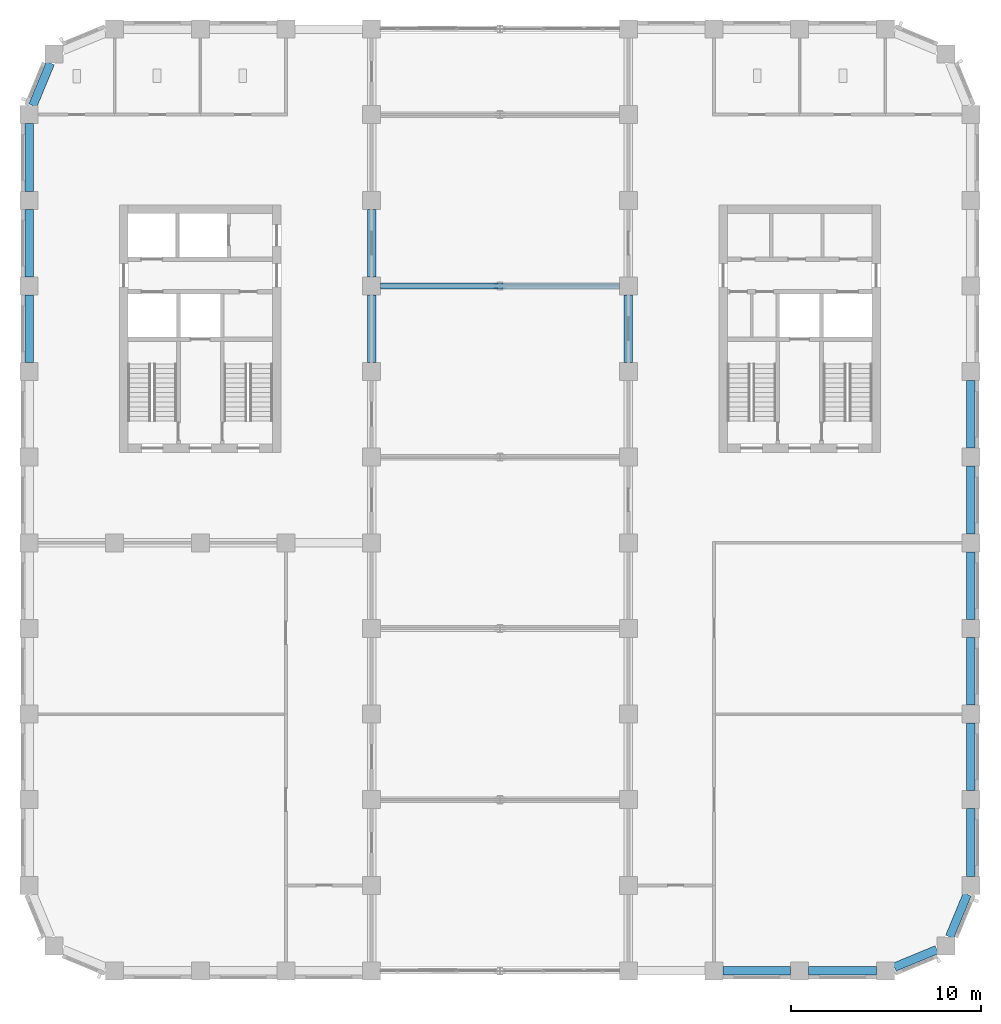
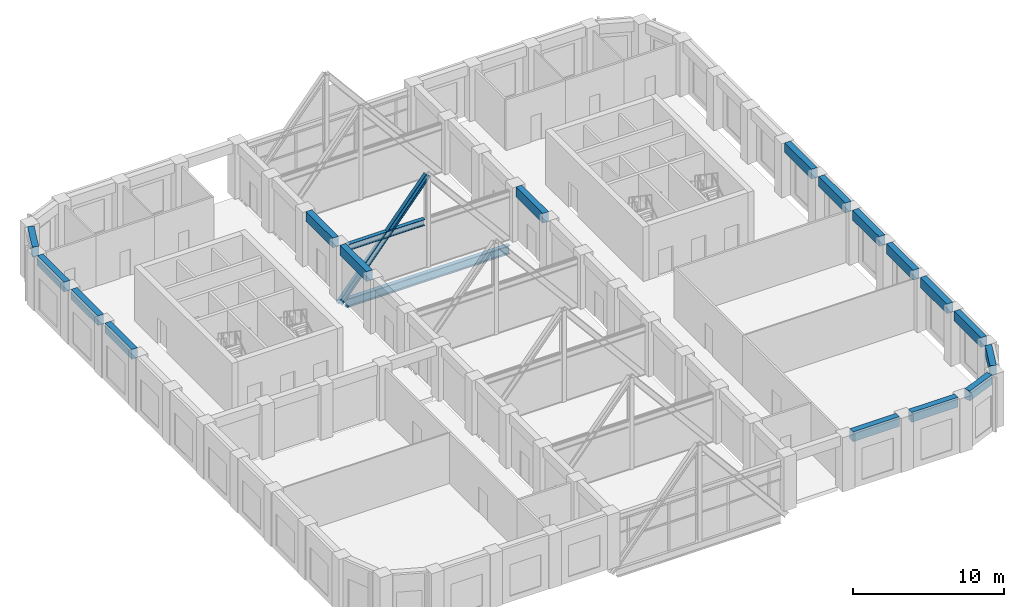
# One storey, part 4 of 15: 17 beams, 3 members.
"""IFC4 building model written with IfcOpenShell, lengths in metres."""

from ifc_helpers import new_model, si_unit, direction, frame, origin, origin_2d, place, context, subcontext, project, spatial, rectangle, i_section, extrude, material, material_profile, profile_set, type_object, element, save


model = new_model("IFC4")

# Units and contexts
model_context = context("Model", 3, precision=1e-05, world=origin(), true_north=direction((0.0, 1.0)))
body_context = subcontext(model_context, "Body", "Model", "MODEL_VIEW")
ifc_project = project(units=[si_unit("LENGTHUNIT", "METRE"), si_unit("AREAUNIT", "SQUARE_METRE"), si_unit("VOLUMEUNIT", "CUBIC_METRE"), si_unit("PLANEANGLEUNIT", "RADIAN"), si_unit("MASSUNIT", "GRAM", prefix="KILO")], contexts=[model_context])

# Site, building, storey
site_placement = place(None, origin())
site = spatial("IfcSite", under=ifc_project, at=site_placement, CompositionType="ELEMENT")
building_placement = place(site_placement, origin())
building = spatial("IfcBuilding", under=site, at=building_placement, Name="Girih Gate Residences", CompositionType="ELEMENT")
storey_placement = place(building_placement, frame((0.0, 0.0, 168.199951171875)))
storey = spatial("IfcBuildingStorey", under=building, at=storey_placement, Name="L46", CompositionType="ELEMENT", Elevation=168.199951171875)

# Members
ifc_material_1 = material(Name="Steel S460", Category="steel")
ifc_material_profile_1 = material_profile(ifc_material_1, i_section(OverallWidth=0.300048828125, OverallDepth=0.699951171875, WebThickness=0.01708984375, FlangeThickness=0.031982421875, FilletRadius=0.027099609375, at=origin_2d()))
ifc_profile_set_1 = profile_set([ifc_material_profile_1], Name="Steel S460")
member_type_1 = type_object("IfcMemberType", Name="Bridge truss bottom chord HE 700 B Steel S460", PredefinedType="CHORD", material=ifc_profile_set_1)
member_1_placement = place(storey_placement, frame((18.47509765625, 36.0, -0.800048828125), z_axis=(1.0, 0.0, 0.0), x_axis=(0.0, 1.0, 0.0)))
element("IfcMember", 1, at=member_1_placement, inside=storey, type_object=member_type_1, Name="Bridge truss chord at 36", PredefinedType="CHORD", context=body_context, shape_type="SweptSolid", body=[
    extrude(i_section(OverallWidth=0.300048828125, OverallDepth=0.699951171875, WebThickness=0.01708984375, FlangeThickness=0.031982421875, FilletRadius=0.027099609375, at=origin_2d()), origin(), (0.0, 0.0, 1.0), 12.5498046875),
])
ifc_material_profile_2 = material_profile(ifc_material_1, i_section(OverallWidth=0.300048828125, OverallDepth=0.5, WebThickness=0.014404296875, FlangeThickness=0.028076171875, FilletRadius=0.027099609375, at=origin_2d()))
ifc_profile_set_2 = profile_set([ifc_material_profile_2], Name="Steel S460")
member_type_2 = type_object("IfcMemberType", Name="Bridge truss chord HE 500 B Steel S460", PredefinedType="CHORD", material=ifc_profile_set_2)
member_2_placement = place(storey_placement, frame((18.47509765625, 36.0, 3.699951171875), z_axis=(1.0, 0.0, 0.0), x_axis=(0.0, 1.0, 0.0)))
element("IfcMember", 2, at=member_2_placement, inside=storey, type_object=member_type_2, Name="Bridge truss chord at 36", PredefinedType="CHORD", context=body_context, shape_type="SweptSolid", body=[
    extrude(i_section(OverallWidth=0.300048828125, OverallDepth=0.5, WebThickness=0.014404296875, FlangeThickness=0.028076171875, FilletRadius=0.027099609375, at=origin_2d()), origin(), (0.0, 0.0, 1.0), 6.02490234375),
])
ifc_material_profile_3 = material_profile(ifc_material_1, i_section(OverallWidth=0.300048828125, OverallDepth=0.43994140625, WebThickness=0.013916015625, FlangeThickness=0.02587890625, FilletRadius=0.027099609375, at=origin_2d()))
ifc_profile_set_3 = profile_set([ifc_material_profile_3], Name="Steel S460")
member_type_3 = type_object("IfcMemberType", Name="Bridge truss diagonal HE 450 B Steel S460", PredefinedType="BRACE", material=ifc_profile_set_3)
member_3_placement = place(storey_placement, frame((18.0, 36.0, -0.699951171875), z_axis=(0.64017984464, 0.0, 0.768225075429), x_axis=(0.0, 1.0, 0.0)))
element("IfcMember", 3, at=member_3_placement, inside=storey, type_object=member_type_3, Name="Bridge truss diagonal at 36", PredefinedType="BRACE", context=body_context, shape_type="SweptSolid", body=[
    extrude(i_section(OverallWidth=0.300048828125, OverallDepth=0.43994140625, WebThickness=0.013916015625, FlangeThickness=0.02587890625, FilletRadius=0.027099609375, at=origin_2d()), origin(), (0.0, 0.0, 1.0), 10.5439453125),
])

# Beams
ifc_material_2 = material(Name="Concrete C60/75", Category="concrete")
ifc_material_profile_4 = material_profile(ifc_material_2, rectangle(XDim=0.449951171875, YDim=0.800048828125, at=origin_2d()))
ifc_profile_set_4 = profile_set([ifc_material_profile_4], Name="Concrete C60/75")
beam_type = type_object("IfcBeamType", Name="Spandrel girder RC 450x800 Concrete C60/75", PredefinedType="BEAM", material=ifc_profile_set_4)
for number, where, z_axis, x_axis, name in (
    (4, (36.47509765625, 0.0, 4.0), (1.0, 0.0, 0.0), (0.0, 1.0, 0.0), "Spandrel girder SP-P9A-P10A L46"),
    (5, (40.97509765625, 0.0, 4.0), (1.0, 0.0, 0.0), (0.0, 1.0, 0.0), "Spandrel girder SP-P10A-P11A L46"),
):
    element("IfcBeam", number, at=place(storey_placement, frame(where, z_axis=z_axis, x_axis=x_axis)), inside=storey, type_object=beam_type, Name=name, PredefinedType="BEAM", context=body_context, shape_type="SweptSolid", body=[
        extrude(rectangle(XDim=0.449951171875, YDim=0.800048828125, at=origin_2d()), origin(), (0.0, 0.0, 1.0), 3.5498046875),
    ])
for number, where, z_axis, x_axis, name in (
    (6, (45.47509765625, 0.19677734375, 4.0), (0.923870256451, 0.382705825988, 0.0), (-0.382705825988, 0.923870256451, 0.0), "Spandrel girder SP-P11A-P12ANW L46"),
    (7, (48.378662109375, 1.79296875, 4.0), (0.382705825988, 0.923870256451, 0.0), (-0.923870256451, 0.382705825988, 0.0), "Spandrel girder SP-P12ANW-P12B L46"),
):
    element("IfcBeam", number, at=place(storey_placement, frame(where, z_axis=z_axis, x_axis=x_axis)), inside=storey, type_object=beam_type, Name=name, PredefinedType="BEAM", context=body_context, shape_type="SweptSolid", body=[
        extrude(rectangle(XDim=0.449951171875, YDim=0.800048828125, at=origin_2d()), origin(), (0.0, 0.0, 1.0), 2.415771484375),
    ])
for number, where, z_axis, x_axis, name in (
    (8, (49.5, 4.97509765625, 4.0), (0.0, 1.0, 0.0), (-1.0, 0.0, 0.0), "Spandrel girder SP-P12B-P12C L46"),
    (9, (49.5, 9.47509765625, 4.0), (0.0, 1.0, 0.0), (-1.0, 0.0, 0.0), "Spandrel girder SP-P12C-P12D L46"),
    (10, (49.5, 13.97509765625, 4.0), (0.0, 1.0, 0.0), (-1.0, 0.0, 0.0), "Spandrel girder SP-P12D-P12E L46"),
    (11, (49.5, 18.47509765625, 4.0), (0.0, 1.0, 0.0), (-1.0, 0.0, 0.0), "Spandrel girder SP-P12E-P12F L46"),
    (12, (49.5, 22.97509765625, 4.0), (0.0, 1.0, 0.0), (-1.0, 0.0, 0.0), "Spandrel girder SP-P12F-P12G L46"),
    (13, (49.5, 27.47509765625, 4.0), (0.0, 1.0, 0.0), (-1.0, 0.0, 0.0), "Spandrel girder SP-P12G-P12H L46"),
):
    element("IfcBeam", number, at=place(storey_placement, frame(where, z_axis=z_axis, x_axis=x_axis)), inside=storey, type_object=beam_type, Name=name, PredefinedType="BEAM", context=body_context, shape_type="SweptSolid", body=[
        extrude(rectangle(XDim=0.449951171875, YDim=0.800048828125, at=origin_2d()), origin(), (0.0, 0.0, 1.0), 3.5498046875),
    ])
beam_placement = place(storey_placement, frame((1.121337890625, 47.70703125, 4.0), z_axis=(-0.382705825988, -0.923870256451, 0.0), x_axis=(0.923870256451, -0.382705825988, 0.0)))
element("IfcBeam", 14, at=beam_placement, inside=storey, type_object=beam_type, Name="Spandrel girder SP-P1LSE-P1K L46", PredefinedType="BEAM", context=body_context, shape_type="SweptSolid", body=[
    extrude(rectangle(XDim=0.449951171875, YDim=0.800048828125, at=origin_2d()), origin(), (0.0, 0.0, 1.0), 2.415771484375),
])
for number, where, z_axis, x_axis, name in (
    (15, (0.0, 44.52490234375, 4.0), (0.0, -1.0, 0.0), (1.0, 0.0, 0.0), "Spandrel girder SP-P1K-P1J L46"),
    (16, (0.0, 40.02490234375, 4.0), (0.0, -1.0, 0.0), (1.0, 0.0, 0.0), "Spandrel girder SP-P1J-P1I L46"),
    (17, (0.0, 35.52490234375, 4.0), (0.0, -1.0, 0.0), (1.0, 0.0, 0.0), "Spandrel girder SP-P1I-P1H L46"),
    (18, (18.0, 31.97509765625, 4.0), (0.0, 1.0, 0.0), (-1.0, 0.0, 0.0), "Spandrel girder SP-P5H-P5I L46"),
    (19, (18.0, 36.47509765625, 4.0), (0.0, 1.0, 0.0), (-1.0, 0.0, 0.0), "Spandrel girder SP-P5I-P5J L46"),
    (20, (31.5, 31.97509765625, 4.0), (0.0, 1.0, 0.0), (-1.0, 0.0, 0.0), "Spandrel girder SP-P8H-P8I L46"),
):
    element("IfcBeam", number, at=place(storey_placement, frame(where, z_axis=z_axis, x_axis=x_axis)), inside=storey, type_object=beam_type, Name=name, PredefinedType="BEAM", context=body_context, shape_type="SweptSolid", body=[
        extrude(rectangle(XDim=0.449951171875, YDim=0.800048828125, at=origin_2d()), origin(), (0.0, 0.0, 1.0), 3.5498046875),
    ])

save(model, "model.ifc")
